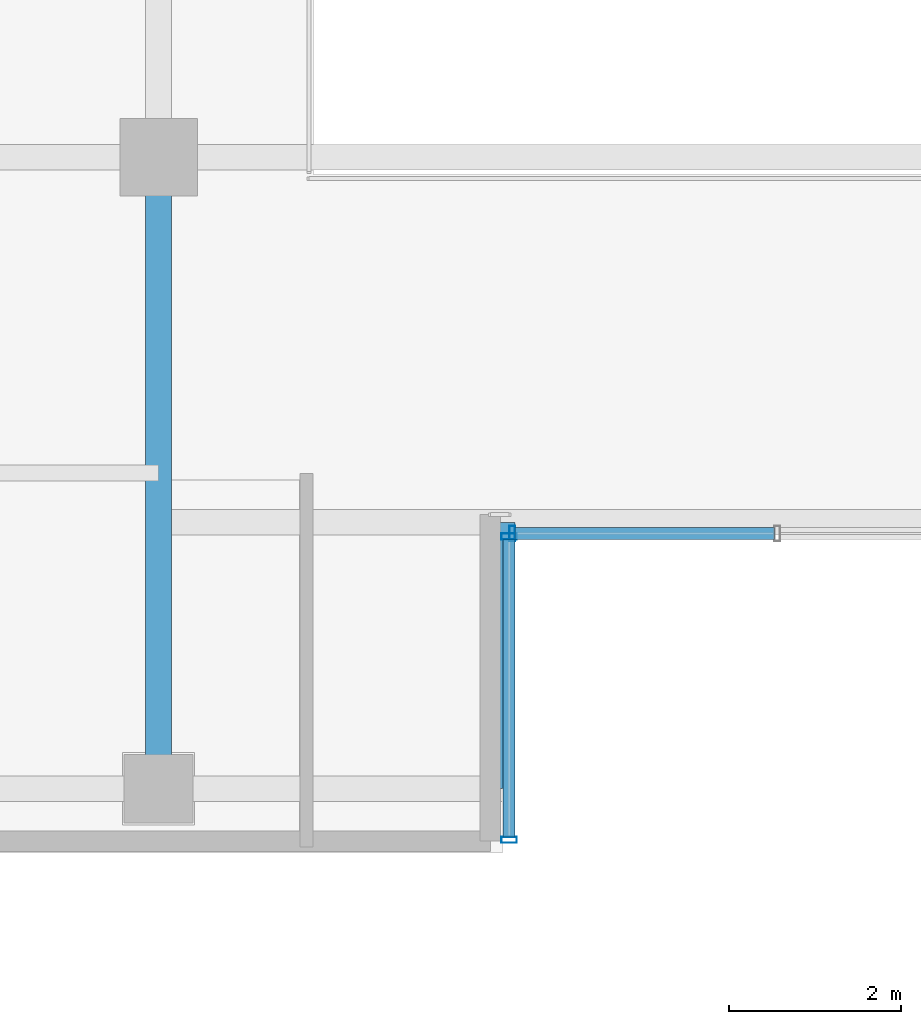
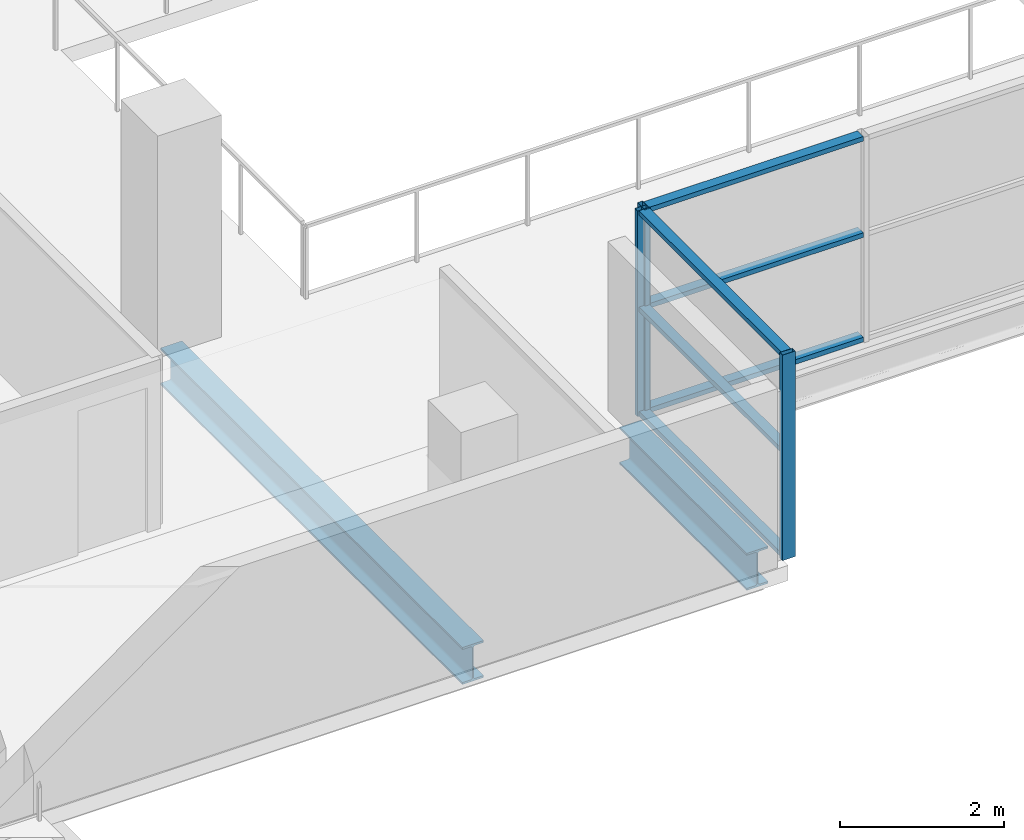
# One storey, part 3 of 28: 9 members, 2 beams, 2 elements without a shape of their own.
"""IFC4 building model written with IfcOpenShell, lengths in metres."""

from ifc_helpers import new_model, si_unit, direction, frame, origin, origin_2d, place, context, subcontext, project, spatial, hollow_rectangle, i_section, extrude, source, transform, mapped, material, layer, layer_set, material_profile, profile_set, type_object, element, aggregate, save


model = new_model("IFC4")

# Units and contexts
model_context = context("Model", 3, precision=1e-05, world=origin(), true_north=direction((0.0, 1.0)))
body_context = subcontext(model_context, "Body", "Model", "MODEL_VIEW")
ifc_project = project(units=[si_unit("LENGTHUNIT", "METRE"), si_unit("AREAUNIT", "SQUARE_METRE"), si_unit("VOLUMEUNIT", "CUBIC_METRE"), si_unit("PLANEANGLEUNIT", "RADIAN"), si_unit("MASSUNIT", "GRAM", prefix="KILO")], contexts=[model_context])

# Site, building, storey
site_placement = place(None, origin())
site = spatial("IfcSite", under=ifc_project, at=site_placement, CompositionType="ELEMENT")
building_placement = place(site_placement, origin())
building = spatial("IfcBuilding", under=site, at=building_placement, Name="Zarnakvel Exchange Tower", CompositionType="ELEMENT")
storey_placement = place(building_placement, frame((0.0, 0.0, 90.10009765625)))
storey = spatial("IfcBuildingStorey", under=building, at=storey_placement, Name="L24", CompositionType="ELEMENT", Elevation=90.10009765625)

# Beams
ifc_material_1 = material(Name="Steel S355", Category="steel")
ifc_material_profile_1 = material_profile(ifc_material_1, i_section(OverallWidth=0.300048828125, OverallDepth=0.550048828125, WebThickness=0.014892578125, FlangeThickness=0.029052734375, FilletRadius=0.027099609375, at=origin_2d()))
ifc_profile_set_1 = profile_set([ifc_material_profile_1], Name="Steel S355")
beam_type = type_object("IfcBeamType", Name="G-05", PredefinedType="BEAM", material=ifc_profile_set_1)
beam_1_placement = place(storey_placement, frame((-3.199951171875, -16.949951171875, -0.5), z_axis=(0.0, 1.0, 0.0), x_axis=(-1.0, 0.0, 0.0)))
element("IfcBeam", 1, at=beam_1_placement, inside=storey, type_object=beam_type, Name="L24 South Slot West Cheek Beam", PredefinedType="BEAM", context=body_context, shape_type="SweptSolid", body=[
    extrude(i_section(OverallWidth=0.300048828125, OverallDepth=0.550048828125, WebThickness=0.014892578125, FlangeThickness=0.029052734375, FilletRadius=0.027099609375, at=origin_2d()), origin(), (0.0, 0.0, 1.0), 3.099853515625),
])
beam_2_placement = place(storey_placement, frame((-7.199951171875, -16.949951171875, -0.5), z_axis=(0.0, 1.0, 0.0), x_axis=(-1.0, 0.0, 0.0)))
element("IfcBeam", 2, at=beam_2_placement, inside=storey, type_object=beam_type, Name="L24 Tower N-S Frame Beam", PredefinedType="BEAM", context=body_context, shape_type="SweptSolid", body=[
    extrude(i_section(OverallWidth=0.300048828125, OverallDepth=0.550048828125, WebThickness=0.014892578125, FlangeThickness=0.029052734375, FilletRadius=0.027099609375, at=origin_2d()), origin(), (0.0, 0.0, 1.0), 7.349853515625),
])

# Curtain wall, members
ifc_material_2 = material(Name="Architectural Bronze Anodised Aluminium", Category="aluminium")
ifc_layer = layer(ifc_material_2, 0.179931640625)
ifc_layer_set = layer_set([ifc_layer], Name="Architectural Bronze Anodised Aluminium")
curtain_wall_type = type_object("IfcCurtainWallType", Name="CW-05", PredefinedType="NOTDEFINED", material=ifc_layer_set)
curtain_wall_1_placement = place(storey_placement, origin())
curtain_wall_1 = element("IfcCurtainWall", 3, at=curtain_wall_1_placement, inside=storey, type_object=curtain_wall_type, Name="L24 Curtain Wall CW-L24-SLW (CW-05)", PredefinedType="NOTDEFINED")
ifc_material_profile_2 = material_profile(ifc_material_2, hollow_rectangle(XDim=0.139892578125, YDim=0.070068359375, WallThickness=0.00390625, at=origin_2d()))
ifc_profile_set_2 = profile_set([ifc_material_profile_2], Name="Architectural Bronze Anodised Aluminium")
member_type_1 = type_object("IfcMemberType", Name="CWT-05", PredefinedType="USERDEFINED", material=ifc_profile_set_2)
shared_shape_1 = source(origin(), body_context, "Body", "SweptSolid", [
    extrude(hollow_rectangle(XDim=0.139892578125, YDim=0.070068359375, WallThickness=0.00390625, at=origin_2d()), origin(), (0.0, 0.0, 1.0), 3.4599609375),
])
member_1_placement = place(storey_placement, frame((-3.1201171875, -17.510009765625, 0.034912109375), z_axis=(0.0, 1.0, 0.0), x_axis=(-1.0, 0.0, 0.0)))
member_1 = element("IfcMember", 4, at=member_1_placement, type_object=member_type_1, Name="CW-05 transom 1.1", ObjectType="TRANSOM", PredefinedType="USERDEFINED", context=body_context, shape_type="MappedRepresentation", body=[
    mapped(shared_shape_1, transform((0.0, 0.0, 0.0), x_axis=(1.0, 0.0, 0.0), y_axis=(0.0, 1.0, 0.0), z_axis=(0.0, 0.0, 1.0), scale=1.0)),
])
member_2_placement = place(storey_placement, frame((-3.1201171875, -17.510009765625, 1.588623046875), z_axis=(0.0, 1.0, 0.0), x_axis=(-1.0, 0.0, 0.0)))
member_2 = element("IfcMember", 5, at=member_2_placement, type_object=member_type_1, Name="CW-05 transom 1.2", ObjectType="TRANSOM", PredefinedType="USERDEFINED", context=body_context, shape_type="MappedRepresentation", body=[
    mapped(shared_shape_1, transform((0.0, 0.0, 0.0), x_axis=(1.0, 0.0, 0.0), y_axis=(0.0, 1.0, 0.0), z_axis=(0.0, 0.0, 1.0), scale=1.0)),
])
member_3_placement = place(storey_placement, frame((-3.1201171875, -17.510009765625, 3.02001953125), z_axis=(0.0, 1.0, 0.0), x_axis=(-1.0, 0.0, 0.0)))
member_3 = element("IfcMember", 6, at=member_3_placement, type_object=member_type_1, Name="CW-05 transom 1.3", ObjectType="TRANSOM", PredefinedType="USERDEFINED", context=body_context, shape_type="MappedRepresentation", body=[
    mapped(shared_shape_1, transform((0.0, 0.0, 0.0), x_axis=(1.0, 0.0, 0.0), y_axis=(0.0, 1.0, 0.0), z_axis=(0.0, 0.0, 1.0), scale=1.0)),
])

curtain_wall_2_placement = place(storey_placement, origin())
curtain_wall_2 = element("IfcCurtainWall", 7, at=curtain_wall_2_placement, inside=storey, type_object=curtain_wall_type, Name="L24 Curtain Wall CW-L24-SLB (CW-05)", PredefinedType="NOTDEFINED")
shared_shape_2 = source(origin(), body_context, "Body", "SweptSolid", [
    extrude(hollow_rectangle(XDim=0.139892578125, YDim=0.070068359375, WallThickness=0.00390625, at=origin_2d()), origin(), (0.0, 0.0, 1.0), 3.01513671875),
])
member_4_placement = place(storey_placement, frame((-3.050048828125, -13.97998046875, 0.034912109375), z_axis=(1.0, 0.0, 0.0), x_axis=(0.0, 1.0, 0.0)))
member_4 = element("IfcMember", 8, at=member_4_placement, type_object=member_type_1, Name="CW-05 transom 1.1", ObjectType="TRANSOM", PredefinedType="USERDEFINED", context=body_context, shape_type="MappedRepresentation", body=[
    mapped(shared_shape_2, transform((0.0, 0.0, 0.0), x_axis=(1.0, 0.0, 0.0), y_axis=(0.0, 1.0, 0.0), z_axis=(0.0, 0.0, 1.0), scale=1.0)),
])
member_5_placement = place(storey_placement, frame((-3.050048828125, -13.97998046875, 1.588623046875), z_axis=(1.0, 0.0, 0.0), x_axis=(0.0, 1.0, 0.0)))
member_5 = element("IfcMember", 9, at=member_5_placement, type_object=member_type_1, Name="CW-05 transom 1.2", ObjectType="TRANSOM", PredefinedType="USERDEFINED", context=body_context, shape_type="MappedRepresentation", body=[
    mapped(shared_shape_2, transform((0.0, 0.0, 0.0), x_axis=(1.0, 0.0, 0.0), y_axis=(0.0, 1.0, 0.0), z_axis=(0.0, 0.0, 1.0), scale=1.0)),
])
member_6_placement = place(storey_placement, frame((-3.050048828125, -13.97998046875, 3.02001953125), z_axis=(1.0, 0.0, 0.0), x_axis=(0.0, 1.0, 0.0)))
member_6 = element("IfcMember", 10, at=member_6_placement, type_object=member_type_1, Name="CW-05 transom 1.3", ObjectType="TRANSOM", PredefinedType="USERDEFINED", context=body_context, shape_type="MappedRepresentation", body=[
    mapped(shared_shape_2, transform((0.0, 0.0, 0.0), x_axis=(1.0, 0.0, 0.0), y_axis=(0.0, 1.0, 0.0), z_axis=(0.0, 0.0, 1.0), scale=1.0)),
])

# Member
ifc_material_profile_3 = material_profile(ifc_material_2, hollow_rectangle(XDim=0.179931640625, YDim=0.070068359375, WallThickness=0.00390625, at=origin_2d()))
ifc_profile_set_3 = profile_set([ifc_material_profile_3], Name="Architectural Bronze Anodised Aluminium")
member_type_2 = type_object("IfcMemberType", Name="CWM-05", PredefinedType="MULLION", material=ifc_profile_set_3)
shared_shape_3 = source(origin(), body_context, "Body", "SweptSolid", [
    extrude(hollow_rectangle(XDim=0.179931640625, YDim=0.070068359375, WallThickness=0.00390625, at=origin_2d()), origin(), (0.0, 0.0, 1.0), 3.054931640625),
])
member_7_placement = place(storey_placement, frame((-3.1201171875, -17.544921875, 0.0), z_axis=(0.0, 0.0, 1.0), x_axis=(-1.0, 0.0, 0.0)))
member_7 = element("IfcMember", 11, at=member_7_placement, type_object=member_type_2, Name="CW-05 mullion 1", PredefinedType="MULLION", context=body_context, shape_type="MappedRepresentation", body=[
    mapped(shared_shape_3, transform((0.0, 0.0, 0.0), x_axis=(1.0, 0.0, 0.0), y_axis=(0.0, 1.0, 0.0), z_axis=(0.0, 0.0, 1.0), scale=1.0)),
])

member_8_placement = place(storey_placement, frame((-3.1201171875, -14.014892578125, 0.0), z_axis=(0.0, 0.0, 1.0), x_axis=(-1.0, 0.0, 0.0)))
member_8 = element("IfcMember", 12, at=member_8_placement, type_object=member_type_2, Name="CW-05 mullion 2", PredefinedType="MULLION", context=body_context, shape_type="MappedRepresentation", body=[
    mapped(shared_shape_3, transform((0.0, 0.0, 0.0), x_axis=(1.0, 0.0, 0.0), y_axis=(0.0, 1.0, 0.0), z_axis=(0.0, 0.0, 1.0), scale=1.0)),
])

aggregate(curtain_wall_1, [member_7, member_8, member_1, member_2, member_3])

member_9_placement = place(storey_placement, frame((-3.0849609375, -13.97998046875, 0.0), z_axis=(0.0, 0.0, 1.0), x_axis=(0.0, 1.0, 0.0)))
member_9 = element("IfcMember", 13, at=member_9_placement, type_object=member_type_2, Name="CW-05 mullion 1", PredefinedType="MULLION", context=body_context, shape_type="MappedRepresentation", body=[
    mapped(shared_shape_3, transform((0.0, 0.0, 0.0), x_axis=(1.0, 0.0, 0.0), y_axis=(0.0, 1.0, 0.0), z_axis=(0.0, 0.0, 1.0), scale=1.0)),
])

aggregate(curtain_wall_2, [member_9, member_4, member_5, member_6])

save(model, "model.ifc")
